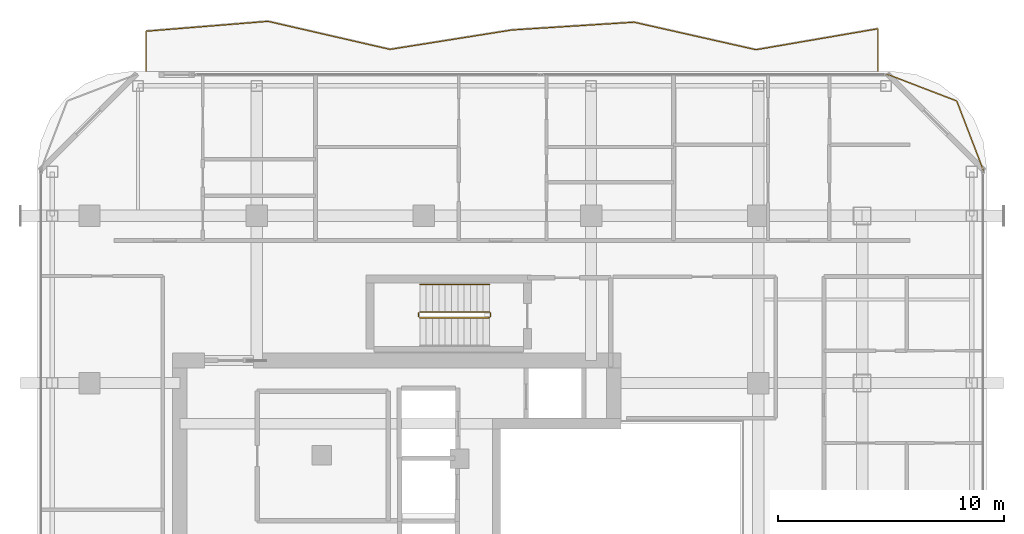
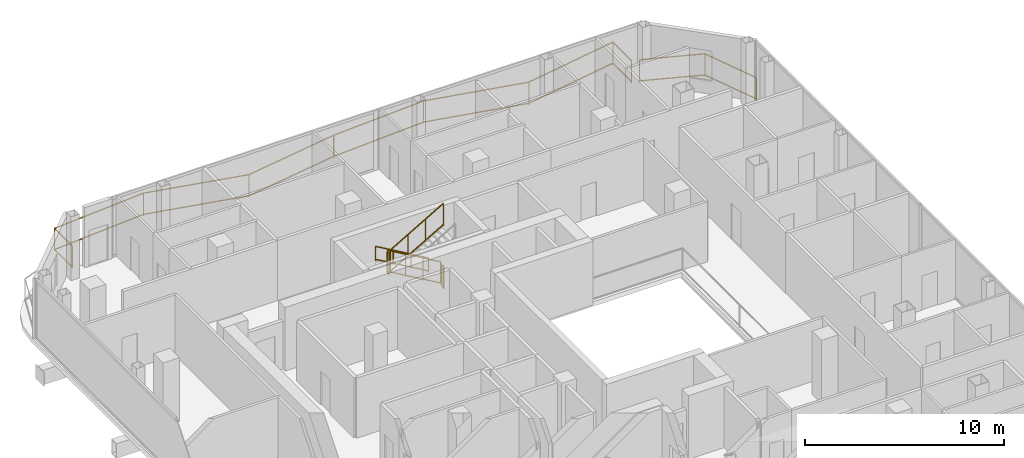
# One storey, part 25 of 25: 7 railings.
"""IFC4 building model written with IfcOpenShell, lengths in metres."""

from ifc_helpers import new_model, si_unit, direction, frame, origin, origin_2d, place, context, subcontext, project, spatial, rectangle, extrude, material, type_object, element, save


model = new_model("IFC4")

# Units and contexts
model_context = context("Model", 3, precision=1e-05, world=origin(), true_north=direction((0.0, 1.0)))
body_context = subcontext(model_context, "Body", "Model", "MODEL_VIEW")
ifc_project = project(units=[si_unit("LENGTHUNIT", "METRE"), si_unit("AREAUNIT", "SQUARE_METRE"), si_unit("VOLUMEUNIT", "CUBIC_METRE"), si_unit("PLANEANGLEUNIT", "RADIAN"), si_unit("MASSUNIT", "GRAM", prefix="KILO")], contexts=[model_context])

# Site, building, storey
site_placement = place(None, origin())
site = spatial("IfcSite", under=ifc_project, at=site_placement, CompositionType="ELEMENT")
building_placement = place(site_placement, origin())
building = spatial("IfcBuilding", under=site, at=building_placement, Name="Khorvyn Point Tower", CompositionType="ELEMENT")
storey_placement = place(building_placement, frame((0.0, 0.0, 254.699951171875)))
storey = spatial("IfcBuildingStorey", under=building, at=storey_placement, Name="L62", CompositionType="ELEMENT", Elevation=254.699951171875)

# Railings
ifc_material_1 = material(Name="Anodised aluminium 6063-T6 and laminated safety glass", Category="aluminium")
railing_type_1 = type_object("IfcRailingType", Name="Laminated Glass and Aluminium Balcony Guardrail 1400", PredefinedType="BALUSTRADE", material=ifc_material_1)
railing_1_placement = place(storey_placement, frame((24.7744140625, 16.78662109375, 0.0)))
element("IfcRailing", 1, at=railing_1_placement, inside=storey, type_object=railing_type_1, Name="L62 Rounded Corner Edge Guardrail NE", PredefinedType="BALUSTRADE", context=body_context, shape_type="SweptSolid", body=[
    extrude(rectangle(XDim=0.048095703125, YDim=0.048095703125, at=origin_2d()), frame((0.0, 0.0, 1.3759765625), z_axis=(-0.358392411044, 0.93357103624, 0.0), x_axis=(-0.93357103624, -0.358392411044, 0.0)), (0.0, 0.0, 1.0), 3.31884765625),
    extrude(rectangle(XDim=0.048095703125, YDim=0.048095703125, at=origin_2d()), frame((0.0, 0.0, 0.080078125), z_axis=(-0.358392411044, 0.93357103624, 0.0), x_axis=(-0.93357103624, -0.358392411044, 0.0)), (0.0, 0.0, 1.0), 3.31884765625),
    extrude(rectangle(XDim=0.048095703125, YDim=0.048095703125, at=origin_2d()), frame((-1.189453125, 3.098388671875, 1.3759765625), z_axis=(-0.93357103624, 0.358392411044, 0.0), x_axis=(-0.358392411044, -0.93357103624, 0.0)), (0.0, 0.0, 1.0), 3.31884765625),
    extrude(rectangle(XDim=0.048095703125, YDim=0.048095703125, at=origin_2d()), frame((-1.189453125, 3.098388671875, 0.080078125), z_axis=(-0.93357103624, 0.358392411044, 0.0), x_axis=(-0.358392411044, -0.93357103624, 0.0)), (0.0, 0.0, 1.0), 3.31884765625),
    extrude(rectangle(XDim=0.0419921875, YDim=0.0419921875, at=origin_2d()), origin(), (0.0, 0.0, 1.0), 1.351806640625),
    extrude(rectangle(XDim=0.0419921875, YDim=0.0419921875, at=origin_2d()), frame((-1.189453125, 3.098388671875, 0.0)), (0.0, 0.0, 1.0), 1.351806640625),
    extrude(rectangle(XDim=0.0419921875, YDim=0.0419921875, at=origin_2d()), frame((-4.287841796875, 4.287841796875, 0.0)), (0.0, 0.0, 1.0), 1.351806640625),
])
railing_2_placement = place(storey_placement, frame((20.10009765625, 21.199951171875, 0.0)))
element("IfcRailing", 2, at=railing_2_placement, inside=storey, type_object=railing_type_1, Name="L62 North Balcony Guardrail", PredefinedType="BALUSTRADE", context=body_context, shape_type="SweptSolid", body=[
    extrude(rectangle(XDim=0.048095703125, YDim=0.048095703125, at=origin_2d()), frame((0.0, 0.0, 1.3759765625), z_axis=(0.0, 1.0, 0.0), x_axis=(-1.0, 0.0, 0.0)), (0.0, 0.0, 1.0), 1.881591796875),
    extrude(rectangle(XDim=0.048095703125, YDim=0.048095703125, at=origin_2d()), frame((0.0, 0.0, 0.080078125), z_axis=(0.0, 1.0, 0.0), x_axis=(-1.0, 0.0, 0.0)), (0.0, 0.0, 1.0), 1.881591796875),
    extrude(rectangle(XDim=0.048095703125, YDim=0.048095703125, at=origin_2d()), frame((0.0, 1.881591796875, 1.3759765625), z_axis=(-0.985524357442, -0.169533893036, 0.0), x_axis=(0.169533893036, -0.985524357442, 0.0)), (0.0, 0.0, 1.0), 5.4794921875),
    extrude(rectangle(XDim=0.048095703125, YDim=0.048095703125, at=origin_2d()), frame((0.0, 1.881591796875, 0.080078125), z_axis=(-0.985524357442, -0.169533893036, 0.0), x_axis=(0.169533893036, -0.985524357442, 0.0)), (0.0, 0.0, 1.0), 5.4794921875),
    extrude(rectangle(XDim=0.048095703125, YDim=0.048095703125, at=origin_2d()), frame((-5.400146484375, 0.95263671875, 1.3759765625), z_axis=(-0.975510952873, 0.219950860023, 0.0), x_axis=(-0.219950860023, -0.975510952873, 0.0)), (0.0, 0.0, 1.0), 5.535400390625),
    extrude(rectangle(XDim=0.048095703125, YDim=0.048095703125, at=origin_2d()), frame((-5.400146484375, 0.95263671875, 0.080078125), z_axis=(-0.975510952873, 0.219950860023, 0.0), x_axis=(-0.219950860023, -0.975510952873, 0.0)), (0.0, 0.0, 1.0), 5.535400390625),
    extrude(rectangle(XDim=0.048095703125, YDim=0.048095703125, at=origin_2d()), frame((-10.800048828125, 2.170166015625, 1.3759765625), z_axis=(-0.997982973063, -0.063482166603, 0.0), x_axis=(0.063482166603, -0.997982973063, 0.0)), (0.0, 0.0, 1.0), 5.4111328125),
    extrude(rectangle(XDim=0.048095703125, YDim=0.048095703125, at=origin_2d()), frame((-10.800048828125, 2.170166015625, 0.080078125), z_axis=(-0.997982973063, -0.063482166603, 0.0), x_axis=(0.063482166603, -0.997982973063, 0.0)), (0.0, 0.0, 1.0), 5.4111328125),
    extrude(rectangle(XDim=0.048095703125, YDim=0.048095703125, at=origin_2d()), frame((-16.2001953125, 1.82666015625, 1.3759765625), z_axis=(-0.987592585176, -0.157037848, 0.0), x_axis=(0.157037848, -0.987592585176, 0.0)), (0.0, 0.0, 1.0), 5.4677734375),
    extrude(rectangle(XDim=0.048095703125, YDim=0.048095703125, at=origin_2d()), frame((-16.2001953125, 1.82666015625, 0.080078125), z_axis=(-0.987592585176, -0.157037848, 0.0), x_axis=(0.157037848, -0.987592585176, 0.0)), (0.0, 0.0, 1.0), 5.4677734375),
    extrude(rectangle(XDim=0.048095703125, YDim=0.048095703125, at=origin_2d()), frame((-21.60009765625, 0.968017578125, 1.3759765625), z_axis=(-0.974604637949, 0.223932578445, 0.0), x_axis=(-0.223932578445, -0.974604637949, 0.0)), (0.0, 0.0, 1.0), 5.54052734375),
    extrude(rectangle(XDim=0.048095703125, YDim=0.048095703125, at=origin_2d()), frame((-21.60009765625, 0.968017578125, 0.080078125), z_axis=(-0.974604637949, 0.223932578445, 0.0), x_axis=(-0.223932578445, -0.974604637949, 0.0)), (0.0, 0.0, 1.0), 5.54052734375),
    extrude(rectangle(XDim=0.048095703125, YDim=0.048095703125, at=origin_2d()), frame((-27.0, 2.208740234375, 1.3759765625), z_axis=(-0.996730617582, -0.080796509667, 0.0), x_axis=(0.080796509667, -0.996730617582, 0.0)), (0.0, 0.0, 1.0), 5.41796875),
    extrude(rectangle(XDim=0.048095703125, YDim=0.048095703125, at=origin_2d()), frame((-27.0, 2.208740234375, 0.080078125), z_axis=(-0.996730617582, -0.080796509667, 0.0), x_axis=(0.080796509667, -0.996730617582, 0.0)), (0.0, 0.0, 1.0), 5.41796875),
    extrude(rectangle(XDim=0.048095703125, YDim=0.048095703125, at=origin_2d()), frame((-32.400146484375, 1.77099609375, 1.3759765625), z_axis=(0.0, -1.0, 0.0), x_axis=(1.0, 0.0, 0.0)), (0.0, 0.0, 1.0), 1.77099609375),
    extrude(rectangle(XDim=0.048095703125, YDim=0.048095703125, at=origin_2d()), frame((-32.400146484375, 1.77099609375, 0.080078125), z_axis=(0.0, -1.0, 0.0), x_axis=(1.0, 0.0, 0.0)), (0.0, 0.0, 1.0), 1.77099609375),
    extrude(rectangle(XDim=0.0419921875, YDim=0.0419921875, at=origin_2d()), origin(), (0.0, 0.0, 1.0), 1.351806640625),
    extrude(rectangle(XDim=0.0419921875, YDim=0.0419921875, at=origin_2d()), frame((0.0, 1.881591796875, 0.0)), (0.0, 0.0, 1.0), 1.351806640625),
    extrude(rectangle(XDim=0.0419921875, YDim=0.0419921875, at=origin_2d()), frame((-5.400146484375, 0.95263671875, 0.0)), (0.0, 0.0, 1.0), 1.351806640625),
    extrude(rectangle(XDim=0.0419921875, YDim=0.0419921875, at=origin_2d()), frame((-10.800048828125, 2.170166015625, 0.0)), (0.0, 0.0, 1.0), 1.351806640625),
    extrude(rectangle(XDim=0.0419921875, YDim=0.0419921875, at=origin_2d()), frame((-16.2001953125, 1.82666015625, 0.0)), (0.0, 0.0, 1.0), 1.351806640625),
    extrude(rectangle(XDim=0.0419921875, YDim=0.0419921875, at=origin_2d()), frame((-21.60009765625, 0.968017578125, 0.0)), (0.0, 0.0, 1.0), 1.351806640625),
    extrude(rectangle(XDim=0.0419921875, YDim=0.0419921875, at=origin_2d()), frame((-27.0, 2.208740234375, 0.0)), (0.0, 0.0, 1.0), 1.351806640625),
    extrude(rectangle(XDim=0.0419921875, YDim=0.0419921875, at=origin_2d()), frame((-32.400146484375, 1.77099609375, 0.0)), (0.0, 0.0, 1.0), 1.351806640625),
    extrude(rectangle(XDim=0.0419921875, YDim=0.0419921875, at=origin_2d()), frame((-32.400146484375, 0.0, 0.0)), (0.0, 0.0, 1.0), 1.351806640625),
])
ifc_material_2 = material(Name="Stainless steel 1.4301", Category="steel")
railing_type_2 = type_object("IfcRailingType", Name="Stainless Steel 304 Stair Pitch Handrail 900", PredefinedType="HANDRAIL", material=ifc_material_2)
railing_3_placement = place(storey_placement, frame((2.89990234375, 11.77001953125, 0.16259765625)))
element("IfcRailing", 3, at=railing_3_placement, inside=storey, type_object=railing_type_2, Name="L62 ST-02 stair handrail 1", PredefinedType="HANDRAIL", context=body_context, shape_type="SweptSolid", body=[
    extrude(rectangle(XDim=0.048095703125, YDim=0.048095703125, at=origin_2d()), frame((0.0, 0.0, 0.8759765625), z_axis=(-0.864903211148, 0.0, 0.501938676878), x_axis=(0.0, -1.0, 0.0)), (0.0, 0.0, 1.0), 3.560791015625),
    extrude(rectangle(XDim=0.048095703125, YDim=0.048095703125, at=origin_2d()), frame((0.0, 0.0, 0.080078125), z_axis=(-0.864903211148, 0.0, 0.501938676878), x_axis=(0.0, -1.0, 0.0)), (0.0, 0.0, 1.0), 3.560791015625),
    extrude(rectangle(XDim=0.0419921875, YDim=0.0419921875, at=origin_2d()), origin(), (0.0, 0.0, 1.0), 0.851806640625),
    extrude(rectangle(XDim=0.0419921875, YDim=0.0419921875, at=origin_2d()), frame((-1.026611328125, 0.0, 0.595703125)), (0.0, 0.0, 1.0), 0.851806640625),
    extrude(rectangle(XDim=0.0419921875, YDim=0.0419921875, at=origin_2d()), frame((-2.05322265625, 0.0, 1.191650390625)), (0.0, 0.0, 1.0), 0.851806640625),
    extrude(rectangle(XDim=0.0419921875, YDim=0.0419921875, at=origin_2d()), frame((-3.079833984375, 0.0, 1.787353515625)), (0.0, 0.0, 1.0), 0.851806640625),
])
railing_type_3 = type_object("IfcRailingType", Name="Stainless Steel 304 Stair Well Guardrail 1400", PredefinedType="GUARDRAIL", material=ifc_material_2)
railing_4_placement = place(storey_placement, frame((2.89990234375, 10.550048828125, 0.16259765625)))
element("IfcRailing", 4, at=railing_4_placement, inside=storey, type_object=railing_type_3, Name="L62 ST-02 stair guard 1", PredefinedType="GUARDRAIL", context=body_context, shape_type="SweptSolid", body=[
    extrude(rectangle(XDim=0.048095703125, YDim=0.048095703125, at=origin_2d()), frame((0.0, 0.0, 1.3759765625), z_axis=(-0.864903211148, 0.0, 0.501938676878), x_axis=(0.0, -1.0, 0.0)), (0.0, 0.0, 1.0), 3.560791015625),
    extrude(rectangle(XDim=0.048095703125, YDim=0.048095703125, at=origin_2d()), frame((0.0, 0.0, 0.080078125), z_axis=(-0.864903211148, 0.0, 0.501938676878), x_axis=(0.0, -1.0, 0.0)), (0.0, 0.0, 1.0), 3.560791015625),
    extrude(rectangle(XDim=0.0419921875, YDim=0.0419921875, at=origin_2d()), origin(), (0.0, 0.0, 1.0), 1.351806640625),
    extrude(rectangle(XDim=0.0419921875, YDim=0.0419921875, at=origin_2d()), frame((-1.026611328125, 0.0, 0.595703125)), (0.0, 0.0, 1.0), 1.351806640625),
    extrude(rectangle(XDim=0.0419921875, YDim=0.0419921875, at=origin_2d()), frame((-2.05322265625, 0.0, 1.191650390625)), (0.0, 0.0, 1.0), 1.351806640625),
    extrude(rectangle(XDim=0.0419921875, YDim=0.0419921875, at=origin_2d()), frame((-3.079833984375, 0.0, 1.787353515625)), (0.0, 0.0, 1.0), 1.351806640625),
])
railing_5_placement = place(storey_placement, frame((-0.22998046875, 10.5, 1.949951171875)))
element("IfcRailing", 5, at=railing_5_placement, inside=storey, type_object=railing_type_3, Name="L62 ST-02 stair guard 2", PredefinedType="GUARDRAIL", context=body_context, shape_type="SweptSolid", body=[
    extrude(rectangle(XDim=0.048095703125, YDim=0.048095703125, at=origin_2d()), frame((0.0, 0.0, 1.3759765625), z_axis=(0.0, -1.0, 0.0), x_axis=(1.0, 0.0, 0.0)), (0.0, 0.0, 1.0), 0.159912109375),
    extrude(rectangle(XDim=0.048095703125, YDim=0.048095703125, at=origin_2d()), frame((0.0, 0.0, 0.080078125), z_axis=(0.0, -1.0, 0.0), x_axis=(1.0, 0.0, 0.0)), (0.0, 0.0, 1.0), 0.159912109375),
    extrude(rectangle(XDim=0.0419921875, YDim=0.0419921875, at=origin_2d()), origin(), (0.0, 0.0, 1.0), 1.351806640625),
    extrude(rectangle(XDim=0.0419921875, YDim=0.0419921875, at=origin_2d()), frame((0.0, -0.159912109375, 0.0)), (0.0, 0.0, 1.0), 1.351806640625),
])
railing_6_placement = place(storey_placement, frame((-0.179931640625, 10.2900390625, 2.112548828125)))
element("IfcRailing", 6, at=railing_6_placement, inside=storey, type_object=railing_type_3, Name="L62 ST-02 stair guard 3", PredefinedType="GUARDRAIL", context=body_context, shape_type="SweptSolid", body=[
    extrude(rectangle(XDim=0.048095703125, YDim=0.048095703125, at=origin_2d()), frame((0.0, 0.0, 1.3759765625), z_axis=(0.864873446163, 0.0, 0.501989962173), x_axis=(0.0, 1.0, 0.0)), (0.0, 0.0, 1.0), 3.56103515625),
    extrude(rectangle(XDim=0.048095703125, YDim=0.048095703125, at=origin_2d()), frame((0.0, 0.0, 0.080078125), z_axis=(0.864873446163, 0.0, 0.501989962173), x_axis=(0.0, 1.0, 0.0)), (0.0, 0.0, 1.0), 3.56103515625),
    extrude(rectangle(XDim=0.0419921875, YDim=0.0419921875, at=origin_2d()), origin(), (0.0, 0.0, 1.0), 1.351806640625),
    extrude(rectangle(XDim=0.0419921875, YDim=0.0419921875, at=origin_2d()), frame((1.026611328125, 0.0, 0.595947265625)), (0.0, 0.0, 1.0), 1.351806640625),
    extrude(rectangle(XDim=0.0419921875, YDim=0.0419921875, at=origin_2d()), frame((2.05322265625, 0.0, 1.191650390625)), (0.0, 0.0, 1.0), 1.351806640625),
    extrude(rectangle(XDim=0.0419921875, YDim=0.0419921875, at=origin_2d()), frame((3.079833984375, 0.0, 1.78759765625)), (0.0, 0.0, 1.0), 1.351806640625),
])
railing_7_placement = place(storey_placement, frame((2.949951171875, 10.5, 0.0)))
element("IfcRailing", 7, at=railing_7_placement, inside=storey, type_object=railing_type_3, Name="L62 ST-02 stair guard 4", PredefinedType="GUARDRAIL", context=body_context, shape_type="SweptSolid", body=[
    extrude(rectangle(XDim=0.048095703125, YDim=0.048095703125, at=origin_2d()), frame((0.0, 0.0, 1.3759765625), z_axis=(0.0, -1.0, 0.0), x_axis=(1.0, 0.0, 0.0)), (0.0, 0.0, 1.0), 0.159912109375),
    extrude(rectangle(XDim=0.048095703125, YDim=0.048095703125, at=origin_2d()), frame((0.0, 0.0, 0.080078125), z_axis=(0.0, -1.0, 0.0), x_axis=(1.0, 0.0, 0.0)), (0.0, 0.0, 1.0), 0.159912109375),
    extrude(rectangle(XDim=0.0419921875, YDim=0.0419921875, at=origin_2d()), origin(), (0.0, 0.0, 1.0), 1.351806640625),
    extrude(rectangle(XDim=0.0419921875, YDim=0.0419921875, at=origin_2d()), frame((0.0, -0.159912109375, 0.0)), (0.0, 0.0, 1.0), 1.351806640625),
])

save(model, "model.ifc")
